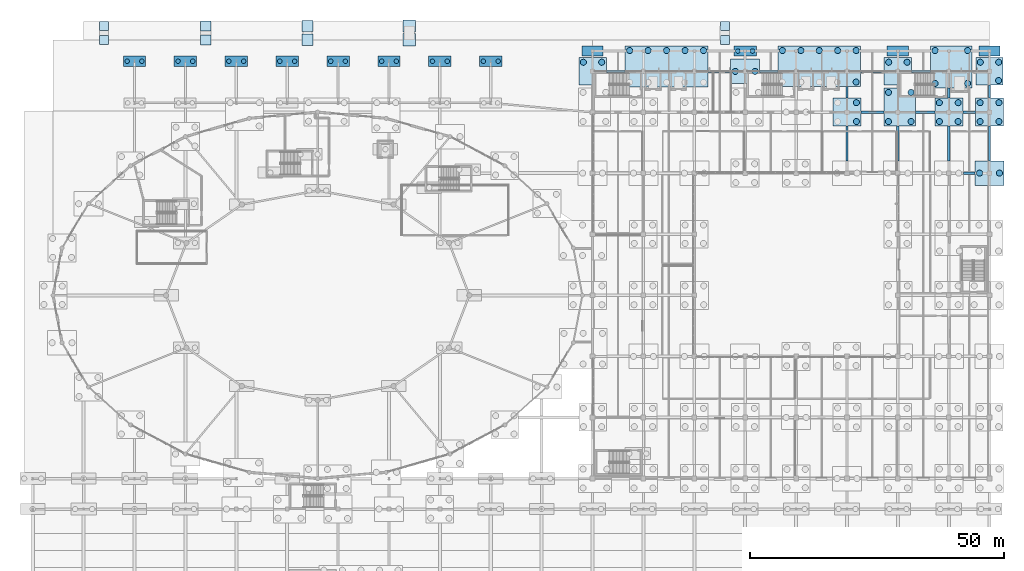
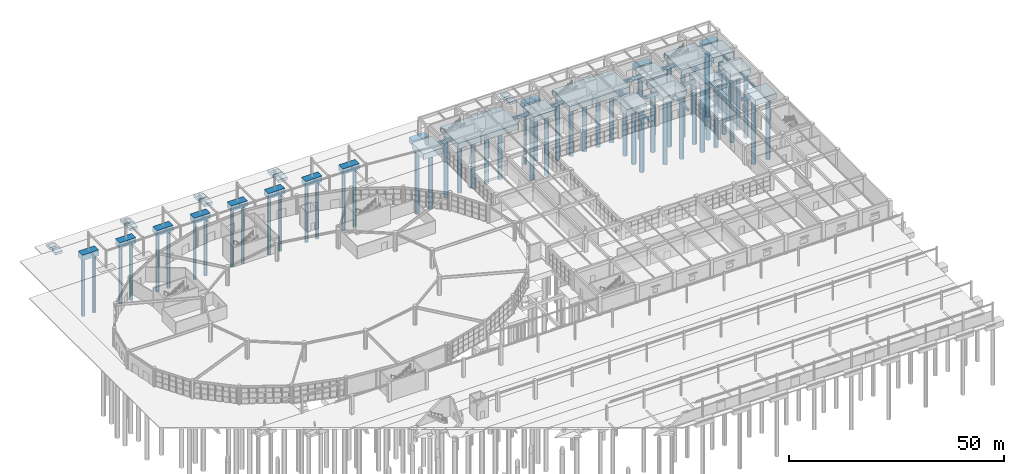
# One storey, part 8 of 99: 58 piles, 50 footings.
"""IFC4 building model written with IfcOpenShell, lengths in metres."""

from ifc_helpers import new_model, si_unit, direction, frame, origin, origin_2d, place, context, subcontext, project, spatial, rectangle, circle, extrude, material, material_profile, profile_set, type_object, element, save


model = new_model("IFC4")

# Units and contexts
model_context = context("Model", 3, precision=1e-05, world=origin(), true_north=direction((0.0, 1.0)))
body_context = subcontext(model_context, "Body", "Model", "MODEL_VIEW")
ifc_project = project(units=[si_unit("LENGTHUNIT", "METRE"), si_unit("AREAUNIT", "SQUARE_METRE"), si_unit("VOLUMEUNIT", "CUBIC_METRE"), si_unit("PLANEANGLEUNIT", "RADIAN"), si_unit("MASSUNIT", "GRAM", prefix="KILO")], contexts=[model_context])

# Site, building, storey
site_placement = place(None, origin())
site = spatial("IfcSite", under=ifc_project, at=site_placement, CompositionType="ELEMENT")
building_placement = place(site_placement, origin())
building = spatial("IfcBuilding", under=site, at=building_placement, Name="Kivolera Central Railway Station", CompositionType="ELEMENT")
storey_placement = place(building_placement, origin())
storey = spatial("IfcBuildingStorey", under=building, at=storey_placement, Name="L00", CompositionType="ELEMENT", Elevation=0.0)

# Footings
ifc_material = material(Name="Concrete C35/45", Category="concrete")
footing_type_1 = type_object("IfcFootingType", Name="FB-450x750", PredefinedType="FOOTING_BEAM", material=ifc_material)
footing_1_placement = place(storey_placement, frame((168.0, 119.824951171875, -1.10009765625), z_axis=(0.0, 0.0, 1.0), x_axis=(1.0, 0.0, 0.0)))
element("IfcFooting", 1, at=footing_1_placement, inside=storey, type_object=footing_type_1, Name="Foundation Tie Beam FDN-FBY-270", PredefinedType="FOOTING_BEAM", context=body_context, shape_type="SweptSolid", body=[
    extrude(rectangle(XDim=0.449951171875, YDim=6.85009765625, at=origin_2d()), origin(), (0.0, 0.0, 1.0), 0.75),
])
footing_2_placement = place(storey_placement, frame((168.0, 129.875, -1.10009765625), z_axis=(0.0, 0.0, 1.0), x_axis=(1.0, 0.0, 0.0)))
element("IfcFooting", 2, at=footing_2_placement, inside=storey, type_object=footing_type_1, Name="Foundation Tie Beam FDN-FBY-271", PredefinedType="FOOTING_BEAM", context=body_context, shape_type="SweptSolid", body=[
    extrude(rectangle(XDim=0.449951171875, YDim=2.25, at=origin_2d()), origin(), (0.0, 0.0, 1.0), 0.75),
])
for number, where, z_axis, x_axis, name in (
    (3, (178.0, 119.824951171875, -1.10009765625), (0.0, 0.0, 1.0), (1.0, 0.0, 0.0), "Foundation Tie Beam FDN-FBY-281"),
    (4, (188.0, 119.824951171875, -1.10009765625), (0.0, 0.0, 1.0), (1.0, 0.0, 0.0), "Foundation Tie Beam FDN-FBY-291"),
):
    element("IfcFooting", number, at=place(storey_placement, frame(where, z_axis=z_axis, x_axis=x_axis)), inside=storey, type_object=footing_type_1, Name=name, PredefinedType="FOOTING_BEAM", context=body_context, shape_type="SweptSolid", body=[
        extrude(rectangle(XDim=0.449951171875, YDim=6.85009765625, at=origin_2d()), origin(), (0.0, 0.0, 1.0), 0.75),
    ])
footing_3_placement = place(storey_placement, frame((188.0, 129.75, -1.10009765625), z_axis=(0.0, 0.0, 1.0), x_axis=(1.0, 0.0, 0.0)))
element("IfcFooting", 5, at=footing_3_placement, inside=storey, type_object=footing_type_1, Name="Foundation Tie Beam FDN-FBY-292", PredefinedType="FOOTING_BEAM", context=body_context, shape_type="SweptSolid", body=[
    extrude(rectangle(XDim=0.449951171875, YDim=2.0, at=origin_2d()), origin(), (0.0, 0.0, 1.0), 0.75),
])
footing_4_placement = place(storey_placement, frame((196.0, 119.824951171875, -1.10009765625), z_axis=(0.0, 0.0, 1.0), x_axis=(1.0, 0.0, 0.0)))
element("IfcFooting", 6, at=footing_4_placement, inside=storey, type_object=footing_type_1, Name="Foundation Tie Beam FDN-FBY-302", PredefinedType="FOOTING_BEAM", context=body_context, shape_type="SweptSolid", body=[
    extrude(rectangle(XDim=0.449951171875, YDim=6.85009765625, at=origin_2d()), origin(), (0.0, 0.0, 1.0), 0.75),
])
footing_5_placement = place(storey_placement, frame((196.0, 130.02490234375, -1.10009765625), z_axis=(0.0, 0.0, 1.0), x_axis=(1.0, 0.0, 0.0)))
element("IfcFooting", 7, at=footing_5_placement, inside=storey, type_object=footing_type_1, Name="Foundation Tie Beam FDN-FBY-303", PredefinedType="FOOTING_BEAM", context=body_context, shape_type="SweptSolid", body=[
    extrude(rectangle(XDim=0.449951171875, YDim=2.550048828125, at=origin_2d()), origin(), (0.0, 0.0, 1.0), 0.75),
])
footing_type_2 = type_object("IfcFootingType", Name="FB-500x800", PredefinedType="FOOTING_BEAM", material=ifc_material)
footing_6_placement = place(storey_placement, frame((192.0, 114.0, -1.14990234375), z_axis=(0.0, 0.0, 1.0), x_axis=(1.0, 0.0, 0.0)))
element("IfcFooting", 8, at=footing_6_placement, inside=storey, type_object=footing_type_2, Name="Foundation Tie Beam FDN-FBX-129", PredefinedType="FOOTING_BEAM", context=body_context, shape_type="SweptSolid", body=[
    extrude(rectangle(XDim=2.300048828125, YDim=0.5, at=origin_2d()), origin(), (0.0, 0.0, 1.0), 0.800048828125),
])
footing_7_placement = place(storey_placement, frame((173.0, 126.0, -1.14990234375), z_axis=(0.0, 0.0, 1.0), x_axis=(1.0, 0.0, 0.0)))
element("IfcFooting", 9, at=footing_7_placement, inside=storey, type_object=footing_type_2, Name="Foundation Tie Beam FDN-FBX-137", PredefinedType="FOOTING_BEAM", context=body_context, shape_type="SweptSolid", body=[
    extrude(rectangle(XDim=4.5, YDim=0.5, at=origin_2d()), origin(), (0.0, 0.0, 1.0), 0.800048828125),
])
footing_8_placement = place(storey_placement, frame((183.375, 126.0, -1.14990234375), z_axis=(0.0, 0.0, 1.0), x_axis=(1.0, 0.0, 0.0)))
element("IfcFooting", 10, at=footing_8_placement, inside=storey, type_object=footing_type_2, Name="Foundation Tie Beam FDN-FBX-138", PredefinedType="FOOTING_BEAM", context=body_context, shape_type="SweptSolid", body=[
    extrude(rectangle(XDim=3.75, YDim=0.5, at=origin_2d()), origin(), (0.0, 0.0, 1.0), 0.800048828125),
])
footing_9_placement = place(storey_placement, frame((192.0, 126.0, -1.14990234375), z_axis=(0.0, 0.0, 1.0), x_axis=(1.0, 0.0, 0.0)))
element("IfcFooting", 11, at=footing_9_placement, inside=storey, type_object=footing_type_2, Name="Foundation Tie Beam FDN-FBX-139", PredefinedType="FOOTING_BEAM", context=body_context, shape_type="SweptSolid", body=[
    extrude(rectangle(XDim=2.5, YDim=0.5, at=origin_2d()), origin(), (0.0, 0.0, 1.0), 0.800048828125),
])
footing_10_placement = place(storey_placement, frame((122.550048828125, 134.0, -1.14990234375), z_axis=(0.0, 0.0, 1.0), x_axis=(1.0, 0.0, 0.0)))
element("IfcFooting", 12, at=footing_10_placement, inside=storey, type_object=footing_type_2, Name="Foundation Tie Beam FDN-FBX-140", PredefinedType="FOOTING_BEAM", context=body_context, shape_type="SweptSolid", body=[
    extrude(rectangle(XDim=3.699951171875, YDim=0.5, at=origin_2d()), origin(), (0.0, 0.0, 1.0), 0.800048828125),
])
footing_11_placement = place(storey_placement, frame((142.925048828125, 134.0, -1.14990234375), z_axis=(0.0, 0.0, 1.0), x_axis=(1.0, 0.0, 0.0)))
element("IfcFooting", 13, at=footing_11_placement, inside=storey, type_object=footing_type_2, Name="Foundation Tie Beam FDN-FBX-141", PredefinedType="FOOTING_BEAM", context=body_context, shape_type="SweptSolid", body=[
    extrude(rectangle(XDim=4.449951171875, YDim=0.5, at=origin_2d()), origin(), (0.0, 0.0, 1.0), 0.800048828125),
])
footing_12_placement = place(storey_placement, frame((152.625, 134.0, -1.14990234375), z_axis=(0.0, 0.0, 1.0), x_axis=(1.0, 0.0, 0.0)))
element("IfcFooting", 14, at=footing_12_placement, inside=storey, type_object=footing_type_2, Name="Foundation Tie Beam FDN-FBX-142", PredefinedType="FOOTING_BEAM", context=body_context, shape_type="SweptSolid", body=[
    extrude(rectangle(XDim=3.550048828125, YDim=0.5, at=origin_2d()), origin(), (0.0, 0.0, 1.0), 0.800048828125),
])
footing_13_placement = place(storey_placement, frame((173.0, 134.0, -1.14990234375), z_axis=(0.0, 0.0, 1.0), x_axis=(1.0, 0.0, 0.0)))
element("IfcFooting", 15, at=footing_13_placement, inside=storey, type_object=footing_type_2, Name="Foundation Tie Beam FDN-FBX-143", PredefinedType="FOOTING_BEAM", context=body_context, shape_type="SweptSolid", body=[
    extrude(rectangle(XDim=4.60009765625, YDim=0.5, at=origin_2d()), origin(), (0.0, 0.0, 1.0), 0.800048828125),
])
footing_14_placement = place(storey_placement, frame((182.550048828125, 134.0, -1.14990234375), z_axis=(0.0, 0.0, 1.0), x_axis=(1.0, 0.0, 0.0)))
element("IfcFooting", 16, at=footing_14_placement, inside=storey, type_object=footing_type_2, Name="Foundation Tie Beam FDN-FBX-144", PredefinedType="FOOTING_BEAM", context=body_context, shape_type="SweptSolid", body=[
    extrude(rectangle(XDim=3.699951171875, YDim=0.5, at=origin_2d()), origin(), (0.0, 0.0, 1.0), 0.800048828125),
])
footing_type_3 = type_object("IfcFootingType", Name="PC-16300x8000", PredefinedType="PILE_CAP", material=ifc_material)
footing_15_placement = place(storey_placement, frame((162.550048828125, 135.0, -1.949951171875), z_axis=(0.0, 0.0, 1.0), x_axis=(1.0, 0.0, 0.0)))
element("IfcFooting", 17, at=footing_15_placement, inside=storey, type_object=footing_type_3, Name="Pile Cap FDN-PC-037", PredefinedType="PILE_CAP", context=body_context, shape_type="SweptSolid", body=[
    extrude(rectangle(XDim=16.300048828125, YDim=8.0, at=origin_2d()), origin(), (0.0, 0.0, 1.0), 1.60009765625),
])
footing_type_4 = type_object("IfcFootingType", Name="PC-16300x8050", PredefinedType="PILE_CAP", material=ifc_material)
footing_16_placement = place(storey_placement, frame((132.550048828125, 134.97509765625, -1.949951171875), z_axis=(0.0, 0.0, 1.0), x_axis=(1.0, 0.0, 0.0)))
element("IfcFooting", 18, at=footing_16_placement, inside=storey, type_object=footing_type_4, Name="Pile Cap FDN-PC-017", PredefinedType="PILE_CAP", context=body_context, shape_type="SweptSolid", body=[
    extrude(rectangle(XDim=16.300048828125, YDim=8.050048828125, at=origin_2d()), origin(), (0.0, 0.0, 1.0), 1.60009765625),
])
footing_type_5 = type_object("IfcFootingType", Name="PC-4200x1900", PredefinedType="PILE_CAP", material=ifc_material)
for number, where, z_axis, x_axis, name in (
    (19, (118.0, 138.0, -1.900146484375), (0.0, 0.0, 1.0), (1.0, 0.0, 0.0), "Pile Cap FDN-PC-009"),
    (20, (178.0, 138.0, -1.900146484375), (0.0, 0.0, 1.0), (1.0, 0.0, 0.0), "Pile Cap FDN-PC-051"),
    (21, (196.0, 138.0, -1.900146484375), (0.0, 0.0, 1.0), (1.0, 0.0, 0.0), "Pile Cap FDN-PC-067"),
):
    element("IfcFooting", number, at=place(storey_placement, frame(where, z_axis=z_axis, x_axis=x_axis)), inside=storey, type_object=footing_type_5, Name=name, PredefinedType="PILE_CAP", context=body_context, shape_type="SweptSolid", body=[
        extrude(rectangle(XDim=4.199951171875, YDim=1.89990234375, at=origin_2d()), origin(), (0.0, 0.0, 1.0), 1.60009765625),
    ])
footing_type_6 = type_object("IfcFootingType", Name="PC-4400x2000", PredefinedType="PILE_CAP", material=ifc_material)
for number, where, z_axis, x_axis, name in (
    (22, (148.0, 138.0, -1.900146484375), (0.0, 0.0, 1.0), (1.0, 0.0, 0.0), "Pile Cap FDN-PC-031"),
    (23, (28.0, 136.0, -1.60009765625), (0.0, 0.0, 1.0), (1.0, 0.0, 0.0), "Pile Cap FDN-PC-196"),
    (24, (38.0, 136.0, -1.60009765625), (0.0, 0.0, 1.0), (1.0, 0.0, 0.0), "Pile Cap FDN-PC-198"),
    (25, (48.0, 136.0, -1.60009765625), (0.0, 0.0, 1.0), (1.0, 0.0, 0.0), "Pile Cap FDN-PC-199"),
    (26, (58.0, 136.0, -1.60009765625), (0.0, 0.0, 1.0), (1.0, 0.0, 0.0), "Pile Cap FDN-PC-201"),
    (27, (68.0, 136.0, -1.60009765625), (0.0, 0.0, 1.0), (1.0, 0.0, 0.0), "Pile Cap FDN-PC-202"),
    (28, (78.0, 136.0, -1.60009765625), (0.0, 0.0, 1.0), (1.0, 0.0, 0.0), "Pile Cap FDN-PC-203"),
    (29, (88.0, 136.0, -1.60009765625), (0.0, 0.0, 1.0), (1.0, 0.0, 0.0), "Pile Cap FDN-PC-205"),
    (30, (98.0, 136.0, -1.60009765625), (0.0, 0.0, 1.0), (1.0, 0.0, 0.0), "Pile Cap FDN-PC-207"),
):
    element("IfcFooting", number, at=place(storey_placement, frame(where, z_axis=z_axis, x_axis=x_axis)), inside=storey, type_object=footing_type_6, Name=name, PredefinedType="PILE_CAP", context=body_context, shape_type="SweptSolid", body=[
        extrude(rectangle(XDim=4.39990234375, YDim=2.0, at=origin_2d()), origin(), (0.0, 0.0, 1.0), 1.60009765625),
    ])
footing_type_7 = type_object("IfcFootingType", Name="PC-5400x5400", PredefinedType="PILE_CAP", material=ifc_material)
for number, where, z_axis, x_axis, name in (
    (31, (118.0, 134.0, -1.949951171875), (0.0, 0.0, 1.0), (1.0, 0.0, 0.0), "Pile Cap FDN-PC-008"),
    (32, (178.0, 134.0, -1.949951171875), (0.0, 0.0, 1.0), (1.0, 0.0, 0.0), "Pile Cap FDN-PC-050"),
    (33, (196.0, 134.0, -1.949951171875), (0.0, 0.0, 1.0), (1.0, 0.0, 0.0), "Pile Cap FDN-PC-066"),
):
    element("IfcFooting", number, at=place(storey_placement, frame(where, z_axis=z_axis, x_axis=x_axis)), inside=storey, type_object=footing_type_7, Name=name, PredefinedType="PILE_CAP", context=body_context, shape_type="SweptSolid", body=[
        extrude(rectangle(XDim=5.39990234375, YDim=5.39990234375, at=origin_2d()), origin(), (0.0, 0.0, 1.0), 1.60009765625),
    ])
footing_type_8 = type_object("IfcFootingType", Name="PC-5500x5500", PredefinedType="PILE_CAP", material=ifc_material)
for number, where, z_axis, x_axis, name in (
    (34, (168.0, 126.0, -1.949951171875), (0.0, 0.0, 1.0), (1.0, 0.0, 0.0), "Pile Cap FDN-PC-042"),
    (35, (188.0, 126.0, -1.949951171875), (0.0, 0.0, 1.0), (1.0, 0.0, 0.0), "Pile Cap FDN-PC-058"),
    (36, (196.0, 126.0, -1.949951171875), (0.0, 0.0, 1.0), (1.0, 0.0, 0.0), "Pile Cap FDN-PC-065"),
):
    element("IfcFooting", number, at=place(storey_placement, frame(where, z_axis=z_axis, x_axis=x_axis)), inside=storey, type_object=footing_type_8, Name=name, PredefinedType="PILE_CAP", context=body_context, shape_type="SweptSolid", body=[
        extrude(rectangle(XDim=5.5, YDim=5.5, at=origin_2d()), origin(), (0.0, 0.0, 1.0), 1.60009765625),
    ])
footing_type_9 = type_object("IfcFootingType", Name="PC-5700x4800", PredefinedType="PILE_CAP", material=ifc_material)
for number, where, z_axis, x_axis, name in (
    (37, (148.0, 134.0, -1.949951171875), (0.0, 0.0, 1.0), (1.0, 0.0, 0.0), "Pile Cap FDN-PC-030"),
    (38, (196.0, 114.0, -1.949951171875), (0.0, 0.0, 1.0), (1.0, 0.0, 0.0), "Pile Cap FDN-PC-064"),
):
    element("IfcFooting", number, at=place(storey_placement, frame(where, z_axis=z_axis, x_axis=x_axis)), inside=storey, type_object=footing_type_9, Name=name, PredefinedType="PILE_CAP", context=body_context, shape_type="SweptSolid", body=[
        extrude(rectangle(XDim=5.699951171875, YDim=4.800048828125, at=origin_2d()), origin(), (0.0, 0.0, 1.0), 1.60009765625),
    ])
footing_type_10 = type_object("IfcFootingType", Name="PC-6250x7530", PredefinedType="PILE_CAP", material=ifc_material)
footing_17_placement = place(storey_placement, frame((178.375, 127.014892578125, -1.949951171875), z_axis=(0.0, 0.0, 1.0), x_axis=(1.0, 0.0, 0.0)))
element("IfcFooting", 39, at=footing_17_placement, inside=storey, type_object=footing_type_10, Name="Pile Cap FDN-PC-049", PredefinedType="PILE_CAP", context=body_context, shape_type="SweptSolid", body=[
    extrude(rectangle(XDim=6.25, YDim=7.530029296875, at=origin_2d()), origin(), (0.0, 0.0, 1.0), 1.60009765625),
])
footing_type_11 = type_object("IfcFootingType", Name="PC-8200x8250", PredefinedType="PILE_CAP", material=ifc_material)
footing_18_placement = place(storey_placement, frame((188.5, 134.875, -1.949951171875), z_axis=(0.0, 0.0, 1.0), x_axis=(1.0, 0.0, 0.0)))
element("IfcFooting", 40, at=footing_18_placement, inside=storey, type_object=footing_type_11, Name="Pile Cap FDN-PC-059", PredefinedType="PILE_CAP", context=body_context, shape_type="SweptSolid", body=[
    extrude(rectangle(XDim=8.199951171875, YDim=8.25, at=origin_2d()), origin(), (0.0, 0.0, 1.0), 1.60009765625),
])
footing_type_12 = type_object("IfcFootingType", Name="PF-1800", PredefinedType="PAD_FOOTING", material=ifc_material)
for number, where, z_axis, x_axis, name in (
    (41, (22.0, 142.89990234375, -1.1298828125), (0.0, 0.0, 1.0), (1.0, 0.0, 0.0), "Entrance Ramp Foot Pad Footing B01"),
    (42, (22.0, 140.199951171875, -0.949951171875), (0.0, 0.0, 1.0), (1.0, 0.0, 0.0), "Entrance Ramp Head Pad Footing T01"),
    (43, (144.0, 142.89990234375, -1.1298828125), (0.0, 0.0, 1.0), (1.0, 0.0, 0.0), "Entrance Ramp Foot Pad Footing B05"),
    (44, (144.0, 140.199951171875, -0.949951171875), (0.0, 0.0, 1.0), (1.0, 0.0, 0.0), "Entrance Ramp Head Pad Footing T05"),
):
    element("IfcFooting", number, at=place(storey_placement, frame(where, z_axis=z_axis, x_axis=x_axis)), inside=storey, type_object=footing_type_12, Name=name, PredefinedType="PAD_FOOTING", context=body_context, shape_type="SweptSolid", body=[
        extrude(rectangle(XDim=1.800048828125, YDim=1.800048828125, at=origin_2d()), origin(), (0.0, 0.0, 1.0), 0.64990234375),
    ])
footing_type_13 = type_object("IfcFootingType", Name="PF-2000", PredefinedType="PAD_FOOTING", material=ifc_material)
for number, where, z_axis, x_axis, name in (
    (45, (42.0, 142.89990234375, -1.18017578125), (0.0, 0.0, 1.0), (1.0, 0.0, 0.0), "Entrance Ramp Foot Pad Footing B02"),
    (46, (42.0, 140.199951171875, -1.0), (0.0, 0.0, 1.0), (1.0, 0.0, 0.0), "Entrance Ramp Head Pad Footing T02"),
):
    element("IfcFooting", number, at=place(storey_placement, frame(where, z_axis=z_axis, x_axis=x_axis)), inside=storey, type_object=footing_type_13, Name=name, PredefinedType="PAD_FOOTING", context=body_context, shape_type="SweptSolid", body=[
        extrude(rectangle(XDim=2.0, YDim=2.0, at=origin_2d()), origin(), (0.0, 0.0, 1.0), 0.699951171875),
    ])
footing_type_14 = type_object("IfcFootingType", Name="PF-2200", PredefinedType="PAD_FOOTING", material=ifc_material)
for number, where, z_axis, x_axis, name in (
    (47, (62.0, 142.89990234375, -1.22998046875), (0.0, 0.0, 1.0), (1.0, 0.0, 0.0), "Entrance Ramp Foot Pad Footing B03"),
    (48, (62.0, 140.199951171875, -1.050048828125), (0.0, 0.0, 1.0), (1.0, 0.0, 0.0), "Entrance Ramp Head Pad Footing T03"),
):
    element("IfcFooting", number, at=place(storey_placement, frame(where, z_axis=z_axis, x_axis=x_axis)), inside=storey, type_object=footing_type_14, Name=name, PredefinedType="PAD_FOOTING", context=body_context, shape_type="SweptSolid", body=[
        extrude(rectangle(XDim=2.199951171875, YDim=2.199951171875, at=origin_2d()), origin(), (0.0, 0.0, 1.0), 0.75),
    ])
footing_type_15 = type_object("IfcFootingType", Name="PF-2400", PredefinedType="PAD_FOOTING", material=ifc_material)
for number, where, z_axis, x_axis, name in (
    (49, (82.0, 142.89990234375, -1.27978515625), (0.0, 0.0, 1.0), (1.0, 0.0, 0.0), "Entrance Ramp Foot Pad Footing B04"),
    (50, (82.0, 140.199951171875, -1.10009765625), (0.0, 0.0, 1.0), (1.0, 0.0, 0.0), "Entrance Ramp Head Pad Footing T04"),
):
    element("IfcFooting", number, at=place(storey_placement, frame(where, z_axis=z_axis, x_axis=x_axis)), inside=storey, type_object=footing_type_15, Name=name, PredefinedType="PAD_FOOTING", context=body_context, shape_type="SweptSolid", body=[
        extrude(rectangle(XDim=2.39990234375, YDim=2.39990234375, at=origin_2d()), origin(), (0.0, 0.0, 1.0), 0.800048828125),
    ])

# Piles
ifc_material_profile_1 = material_profile(ifc_material, circle(Radius=0.60009765625, at=origin_2d()), Name="PILE D1200")
ifc_profile_set_1 = profile_set([ifc_material_profile_1], Name="Concrete C35/45")
pile_type_1 = type_object("IfcPileType", Name="PILE-1200", PredefinedType="BORED", material=ifc_profile_set_1)
for number, where, z_axis, x_axis, name in (
    (51, (116.199951171875, 135.800048828125, -1.85009765625), (0.0, 0.0, -1.0), (1.0, 0.0, 0.0), "Bored Pile FDN-PC-008-P01"),
    (52, (119.800048828125, 135.800048828125, -1.85009765625), (0.0, 0.0, -1.0), (1.0, 0.0, 0.0), "Bored Pile FDN-PC-008-P02"),
    (53, (125.300048828125, 138.10009765625, -1.85009765625), (0.0, 0.0, -1.0), (1.0, 0.0, 0.0), "Bored Pile FDN-PC-017-P02"),
    (54, (128.925048828125, 138.10009765625, -1.85009765625), (0.0, 0.0, -1.0), (1.0, 0.0, 0.0), "Bored Pile FDN-PC-017-P04"),
    (55, (132.550048828125, 138.10009765625, -1.85009765625), (0.0, 0.0, -1.0), (1.0, 0.0, 0.0), "Bored Pile FDN-PC-017-P06"),
    (56, (136.175048828125, 138.10009765625, -1.85009765625), (0.0, 0.0, -1.0), (1.0, 0.0, 0.0), "Bored Pile FDN-PC-017-P08"),
    (57, (139.800048828125, 138.10009765625, -1.85009765625), (0.0, 0.0, -1.0), (1.0, 0.0, 0.0), "Bored Pile FDN-PC-017-P10"),
    (58, (146.050048828125, 134.0, -1.85009765625), (0.0, 0.0, -1.0), (1.0, 0.0, 0.0), "Bored Pile FDN-PC-030-P01"),
    (59, (149.949951171875, 134.0, -1.85009765625), (0.0, 0.0, -1.0), (1.0, 0.0, 0.0), "Bored Pile FDN-PC-030-P02"),
    (60, (155.300048828125, 138.10009765625, -1.85009765625), (0.0, 0.0, -1.0), (1.0, 0.0, 0.0), "Bored Pile FDN-PC-037-P02"),
    (61, (158.925048828125, 138.10009765625, -1.85009765625), (0.0, 0.0, -1.0), (1.0, 0.0, 0.0), "Bored Pile FDN-PC-037-P04"),
    (62, (162.550048828125, 138.10009765625, -1.85009765625), (0.0, 0.0, -1.0), (1.0, 0.0, 0.0), "Bored Pile FDN-PC-037-P06"),
    (63, (166.175048828125, 138.10009765625, -1.85009765625), (0.0, 0.0, -1.0), (1.0, 0.0, 0.0), "Bored Pile FDN-PC-037-P08"),
    (64, (169.800048828125, 131.89990234375, -1.85009765625), (0.0, 0.0, -1.0), (1.0, 0.0, 0.0), "Bored Pile FDN-PC-037-P09"),
    (65, (169.800048828125, 138.10009765625, -1.85009765625), (0.0, 0.0, -1.0), (1.0, 0.0, 0.0), "Bored Pile FDN-PC-037-P10"),
    (66, (169.85009765625, 124.14990234375, -1.85009765625), (0.0, 0.0, -1.0), (1.0, 0.0, 0.0), "Bored Pile FDN-PC-042-P03"),
    (67, (169.85009765625, 127.85009765625, -1.85009765625), (0.0, 0.0, -1.0), (1.0, 0.0, 0.0), "Bored Pile FDN-PC-042-P04"),
    (68, (176.14990234375, 124.14990234375, -1.85009765625), (0.0, 0.0, -1.0), (1.0, 0.0, 0.0), "Bored Pile FDN-PC-049-P01"),
    (69, (176.14990234375, 129.8798828125, -1.85009765625), (0.0, 0.0, -1.0), (1.0, 0.0, 0.0), "Bored Pile FDN-PC-049-P02"),
    (70, (180.60009765625, 124.14990234375, -1.85009765625), (0.0, 0.0, -1.0), (1.0, 0.0, 0.0), "Bored Pile FDN-PC-049-P03"),
    (71, (180.60009765625, 129.8798828125, -1.85009765625), (0.0, 0.0, -1.0), (1.0, 0.0, 0.0), "Bored Pile FDN-PC-049-P04"),
    (72, (176.199951171875, 135.800048828125, -1.85009765625), (0.0, 0.0, -1.0), (1.0, 0.0, 0.0), "Bored Pile FDN-PC-050-P01"),
    (73, (179.800048828125, 135.800048828125, -1.85009765625), (0.0, 0.0, -1.0), (1.0, 0.0, 0.0), "Bored Pile FDN-PC-050-P02"),
    (74, (186.14990234375, 124.14990234375, -1.85009765625), (0.0, 0.0, -1.0), (1.0, 0.0, 0.0), "Bored Pile FDN-PC-058-P01"),
    (75, (186.14990234375, 127.85009765625, -1.85009765625), (0.0, 0.0, -1.0), (1.0, 0.0, 0.0), "Bored Pile FDN-PC-058-P02"),
    (76, (189.85009765625, 124.14990234375, -1.85009765625), (0.0, 0.0, -1.0), (1.0, 0.0, 0.0), "Bored Pile FDN-PC-058-P03"),
    (77, (189.85009765625, 127.85009765625, -1.85009765625), (0.0, 0.0, -1.0), (1.0, 0.0, 0.0), "Bored Pile FDN-PC-058-P04"),
    (78, (185.300048828125, 131.64990234375, -1.85009765625), (0.0, 0.0, -1.0), (1.0, 0.0, 0.0), "Bored Pile FDN-PC-059-P01"),
    (79, (185.300048828125, 138.10009765625, -1.85009765625), (0.0, 0.0, -1.0), (1.0, 0.0, 0.0), "Bored Pile FDN-PC-059-P02"),
    (80, (191.699951171875, 131.64990234375, -1.85009765625), (0.0, 0.0, -1.0), (1.0, 0.0, 0.0), "Bored Pile FDN-PC-059-P03"),
    (81, (191.699951171875, 138.10009765625, -1.85009765625), (0.0, 0.0, -1.0), (1.0, 0.0, 0.0), "Bored Pile FDN-PC-059-P04"),
    (82, (194.050048828125, 114.0, -1.85009765625), (0.0, 0.0, -1.0), (1.0, 0.0, 0.0), "Bored Pile FDN-PC-064-P01"),
    (83, (197.949951171875, 114.0, -1.85009765625), (0.0, 0.0, -1.0), (1.0, 0.0, 0.0), "Bored Pile FDN-PC-064-P02"),
    (84, (194.14990234375, 124.14990234375, -1.85009765625), (0.0, 0.0, -1.0), (1.0, 0.0, 0.0), "Bored Pile FDN-PC-065-P01"),
    (85, (194.14990234375, 127.85009765625, -1.85009765625), (0.0, 0.0, -1.0), (1.0, 0.0, 0.0), "Bored Pile FDN-PC-065-P02"),
    (86, (197.85009765625, 124.14990234375, -1.85009765625), (0.0, 0.0, -1.0), (1.0, 0.0, 0.0), "Bored Pile FDN-PC-065-P03"),
    (87, (197.85009765625, 127.85009765625, -1.85009765625), (0.0, 0.0, -1.0), (1.0, 0.0, 0.0), "Bored Pile FDN-PC-065-P04"),
    (88, (194.199951171875, 135.800048828125, -1.85009765625), (0.0, 0.0, -1.0), (1.0, 0.0, 0.0), "Bored Pile FDN-PC-066-P01"),
    (89, (197.800048828125, 132.199951171875, -1.85009765625), (0.0, 0.0, -1.0), (1.0, 0.0, 0.0), "Bored Pile FDN-PC-066-P02"),
    (90, (197.800048828125, 135.800048828125, -1.85009765625), (0.0, 0.0, -1.0), (1.0, 0.0, 0.0), "Bored Pile FDN-PC-066-P03"),
):
    element("IfcPile", number, at=place(storey_placement, frame(where, z_axis=z_axis, x_axis=x_axis)), inside=storey, type_object=pile_type_1, Name=name, PredefinedType="BORED", context=body_context, shape_type="SweptSolid", body=[
        extrude(circle(Radius=0.60009765625, at=origin_2d()), origin(), (0.0, 0.0, 1.0), 18.14990234375),
    ])
ifc_material_profile_2 = material_profile(ifc_material, circle(Radius=0.449951171875, at=origin_2d()), Name="PILE D900")
ifc_profile_set_2 = profile_set([ifc_material_profile_2], Name="Concrete C35/45")
pile_type_2 = type_object("IfcPileType", Name="PILE-900", PredefinedType="BORED", material=ifc_profile_set_2)
for number, where, z_axis, x_axis, name in (
    (91, (146.550048828125, 138.0, -1.800048828125), (0.0, 0.0, -1.0), (1.0, 0.0, 0.0), "Bored Pile FDN-PC-031-P01"),
    (92, (149.449951171875, 138.0, -1.800048828125), (0.0, 0.0, -1.0), (1.0, 0.0, 0.0), "Bored Pile FDN-PC-031-P02"),
):
    element("IfcPile", number, at=place(storey_placement, frame(where, z_axis=z_axis, x_axis=x_axis)), inside=storey, type_object=pile_type_2, Name=name, PredefinedType="BORED", context=body_context, shape_type="SweptSolid", body=[
        extrude(circle(Radius=0.449951171875, at=origin_2d()), origin(), (0.0, 0.0, 1.0), 16.199951171875),
    ])
for number, where, z_axis, x_axis, name in (
    (93, (26.550048828125, 136.0, -1.5), (0.0, 0.0, -1.0), (1.0, 0.0, 0.0), "Bored Pile FDN-PC-196-P01"),
    (94, (29.449951171875, 136.0, -1.5), (0.0, 0.0, -1.0), (1.0, 0.0, 0.0), "Bored Pile FDN-PC-196-P02"),
    (95, (36.550048828125, 136.0, -1.5), (0.0, 0.0, -1.0), (1.0, 0.0, 0.0), "Bored Pile FDN-PC-198-P01"),
    (96, (39.449951171875, 136.0, -1.5), (0.0, 0.0, -1.0), (1.0, 0.0, 0.0), "Bored Pile FDN-PC-198-P02"),
    (97, (46.550048828125, 136.0, -1.5), (0.0, 0.0, -1.0), (1.0, 0.0, 0.0), "Bored Pile FDN-PC-199-P01"),
    (98, (49.449951171875, 136.0, -1.5), (0.0, 0.0, -1.0), (1.0, 0.0, 0.0), "Bored Pile FDN-PC-199-P02"),
    (99, (56.550048828125, 136.0, -1.5), (0.0, 0.0, -1.0), (1.0, 0.0, 0.0), "Bored Pile FDN-PC-201-P01"),
    (100, (59.449951171875, 136.0, -1.5), (0.0, 0.0, -1.0), (1.0, 0.0, 0.0), "Bored Pile FDN-PC-201-P02"),
    (101, (66.550048828125, 136.0, -1.5), (0.0, 0.0, -1.0), (1.0, 0.0, 0.0), "Bored Pile FDN-PC-202-P01"),
    (102, (69.449951171875, 136.0, -1.5), (0.0, 0.0, -1.0), (1.0, 0.0, 0.0), "Bored Pile FDN-PC-202-P02"),
    (103, (76.550048828125, 136.0, -1.5), (0.0, 0.0, -1.0), (1.0, 0.0, 0.0), "Bored Pile FDN-PC-203-P01"),
    (104, (79.449951171875, 136.0, -1.5), (0.0, 0.0, -1.0), (1.0, 0.0, 0.0), "Bored Pile FDN-PC-203-P02"),
    (105, (86.550048828125, 136.0, -1.5), (0.0, 0.0, -1.0), (1.0, 0.0, 0.0), "Bored Pile FDN-PC-205-P01"),
    (106, (89.449951171875, 136.0, -1.5), (0.0, 0.0, -1.0), (1.0, 0.0, 0.0), "Bored Pile FDN-PC-205-P02"),
    (107, (96.550048828125, 136.0, -1.5), (0.0, 0.0, -1.0), (1.0, 0.0, 0.0), "Bored Pile FDN-PC-207-P01"),
    (108, (99.449951171875, 136.0, -1.5), (0.0, 0.0, -1.0), (1.0, 0.0, 0.0), "Bored Pile FDN-PC-207-P02"),
):
    element("IfcPile", number, at=place(storey_placement, frame(where, z_axis=z_axis, x_axis=x_axis)), inside=storey, type_object=pile_type_2, Name=name, PredefinedType="BORED", context=body_context, shape_type="SweptSolid", body=[
        extrude(circle(Radius=0.449951171875, at=origin_2d()), origin(), (0.0, 0.0, 1.0), 16.5),
    ])

save(model, "model.ifc")
